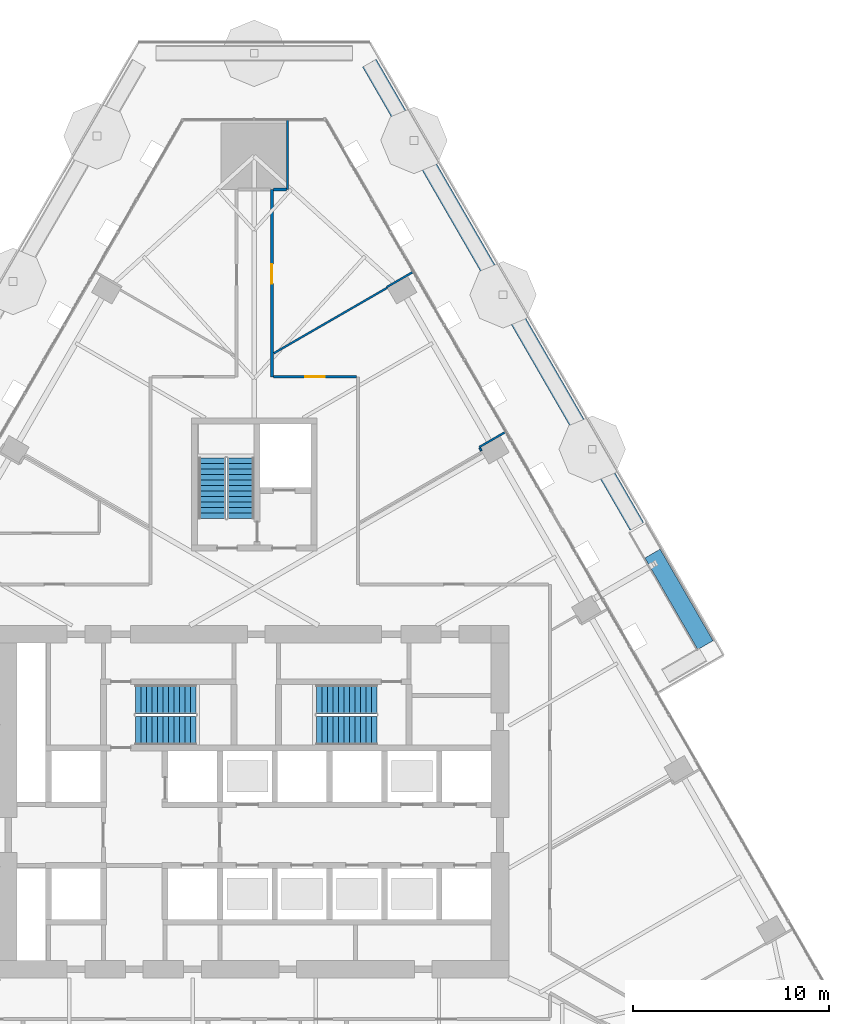
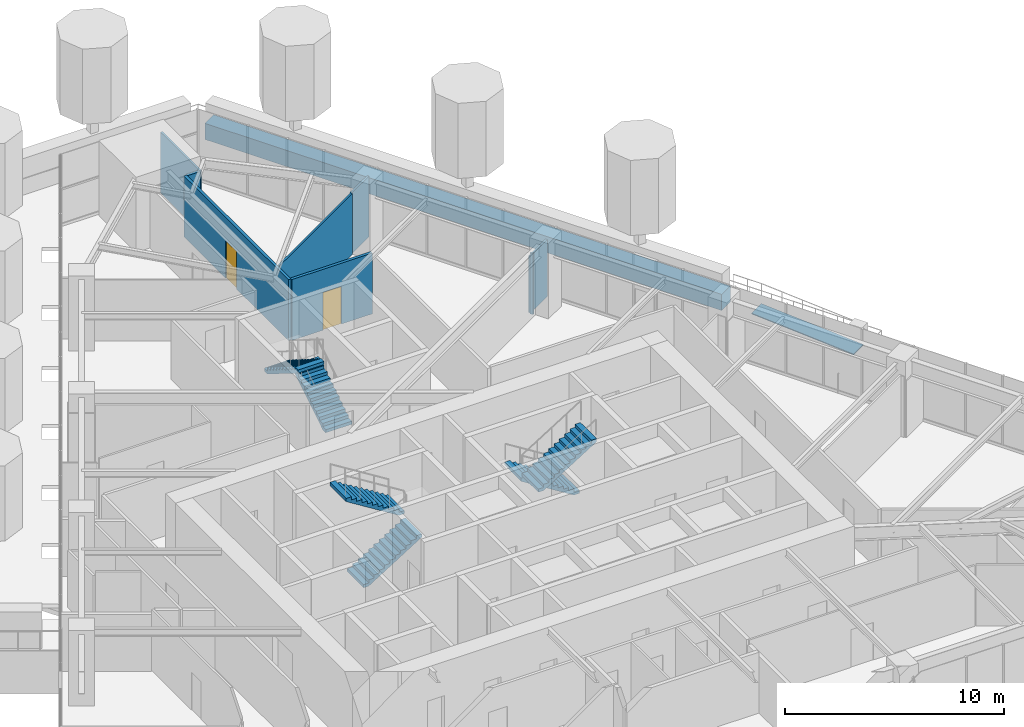
# One storey, part 21 of 25: 9 walls, 6 stair flights, 2 doors, 1 ramp flight, 2 openings, 4 elements without a shape of their own.
"""IFC4 building model written with IfcOpenShell, lengths in metres."""

import ifcopenshell
import ifcopenshell.guid

model = None  # the IFC model being written
_history = None  # IfcOwnerHistory: only IFC2X3 demands one
_inside = {}  # id of a spatial element -> (the spatial element, [elements in it])
_under = {}  # id of a project, library or spatial element -> (it, [spatial elements below it])
_declared = {}  # id of a project -> (the project, [libraries it declares])
_typed = {}  # id of a type object -> (the type object, [elements of that type])
_made_of = {}  # id of a material, layer set ... -> (it, [elements and type objects made of it])


def new_model(schema):
    """Start an empty IFC model of exactly this schema.

    Asked for "IFC4X3", IfcOpenShell would pick the latest addendum, in which some entities
    have other attributes; the version numbers below select the first issue.
    IFC2X3 requires an IfcOwnerHistory on every rooted entity: one is made here for all.
    """
    global model, _history
    if schema == "IFC4X3":
        model = ifcopenshell.file(schema_version=(4, 3, 0, 0))
    else:
        model = ifcopenshell.file(schema=schema)
    _inside.clear()
    _under.clear()
    _declared.clear()
    _typed.clear()
    _made_of.clear()
    _history = None
    if model.schema == "IFC2X3":
        org = make("IfcOrganization", Name="unknown")
        user = make(
            "IfcPersonAndOrganization",
            ThePerson=make("IfcPerson", FamilyName="unknown"),
            TheOrganization=org,
        )
        app = make(
            "IfcApplication",
            ApplicationDeveloper=org,
            Version="unknown",
            ApplicationFullName="unknown",
            ApplicationIdentifier="unknown",
        )
        _history = make(
            "IfcOwnerHistory",
            OwningUser=user,
            OwningApplication=app,
            ChangeAction="ADDED",
            CreationDate=0,
        )
    return model


def make(cls, **values):
    """One entity of the class cls with the attributes given. An attribute that is None is left unset."""
    return model.create_entity(
        cls, **{name: value for name, value in values.items() if value is not None}
    )


def rooted(cls, **values):
    """An entity with a GlobalId (a new one), such as an element, a storey or a relation."""
    return make(cls, GlobalId=ifcopenshell.guid.new(), OwnerHistory=_history, **values)


def si_unit(unit_type, name, prefix=None):
    """IfcSIUnit, for example si_unit("LENGTHUNIT", "METRE", prefix="MILLI")."""
    return make("IfcSIUnit", UnitType=unit_type, Prefix=prefix, Name=name)


def assignment(units):
    """IfcUnitAssignment: the units of a project."""
    return None if units is None else make("IfcUnitAssignment", Units=units)


def point(xyz):
    """IfcCartesianPoint."""
    return None if xyz is None else make("IfcCartesianPoint", Coordinates=xyz)


def direction(xyz):
    """IfcDirection."""
    return None if xyz is None else make("IfcDirection", DirectionRatios=xyz)


def frame(location, z_axis=None, x_axis=None):
    """IfcAxis2Placement3D, a coordinate frame: its origin and axes. An axis left out is left unset."""
    return make(
        "IfcAxis2Placement3D",
        Location=point(location),
        Axis=direction(z_axis),
        RefDirection=direction(x_axis),
    )


def frame_2d(location, x_axis=None):
    """IfcAxis2Placement2D, a coordinate frame in the plane: its origin and x axis."""
    return make(
        "IfcAxis2Placement2D", Location=point(location), RefDirection=direction(x_axis)
    )


def origin():
    """The frame at (0, 0, 0) with its axes left unset."""
    return frame((0.0, 0.0, 0.0))


def place(relative_to, where):
    """IfcLocalPlacement: puts the frame where relative to a parent placement (None: the world)."""
    return make(
        "IfcLocalPlacement", PlacementRelTo=relative_to, RelativePlacement=where
    )


def context(
    kind, dimensions, precision=None, world=None, true_north=None, identifier=None
):
    """IfcGeometricRepresentationContext, for example the 3D "Model" context."""
    return make(
        "IfcGeometricRepresentationContext",
        ContextIdentifier=identifier,
        ContextType=kind,
        CoordinateSpaceDimension=dimensions,
        Precision=precision,
        WorldCoordinateSystem=world,
        TrueNorth=true_north,
    )


def subcontext(parent, identifier, kind, view, scale=None):
    """IfcGeometricRepresentationSubContext, for example "Body" below "Model"."""
    return make(
        "IfcGeometricRepresentationSubContext",
        ContextIdentifier=identifier,
        ContextType=kind,
        ParentContext=parent,
        TargetScale=scale,
        TargetView=view,
    )


def project(units=None, contexts=None):
    """IfcProject with its units and contexts."""
    return rooted(
        "IfcProject",
        Name="project",
        RepresentationContexts=contexts,
        UnitsInContext=assignment(units),
    )


def spatial(cls, under=None, at=None, **own):
    """A site, building, storey or space (cls), placed at a placement, below another one or the project."""
    s = rooted(cls, ObjectPlacement=at, **own)
    if under is not None:
        _under.setdefault(under.id(), (under, []))[1].append(s)
    return s


def polyline(points):
    """IfcPolyline through the points."""
    return make("IfcPolyline", Points=[point(p) for p in points])


def profile(cls, at=None, kind="AREA", **sizes):
    """A parametric profile (cls). Its sizes go by their IFC names, for example OverallWidth=200.0."""
    return make(cls, ProfileType=kind, Position=at, **sizes)


def rectangle(**sizes):
    """IfcRectangleProfileDef."""
    return profile("IfcRectangleProfileDef", **sizes)


def outline(outer, holes=None, kind="AREA"):
    """IfcArbitraryClosedProfileDef: a profile drawn as a closed curve; with holes, ...WithVoids."""
    if holes is None:
        return make("IfcArbitraryClosedProfileDef", ProfileType=kind, OuterCurve=outer)
    return make(
        "IfcArbitraryProfileDefWithVoids",
        ProfileType=kind,
        OuterCurve=outer,
        InnerCurves=holes,
    )


def extrude(swept, where, along, depth):
    """IfcExtrudedAreaSolid: the profile swept, set in the frame where, extruded along a direction by depth."""
    return make(
        "IfcExtrudedAreaSolid",
        SweptArea=swept,
        Position=where,
        ExtrudedDirection=direction(along),
        Depth=depth,
    )


def shape(context_of_items, identifier, shape_type, items):
    """IfcShapeRepresentation: the items that make up one representation, for example the "Body"."""
    return make(
        "IfcShapeRepresentation",
        ContextOfItems=context_of_items,
        RepresentationIdentifier=identifier,
        RepresentationType=shape_type,
        Items=items,
    )


def material(Name=None, Category=None):
    """IfcMaterial."""
    return make("IfcMaterial", Name=Name, Category=Category)


def layer(
    of_material, thickness, ventilated=None, Name=None, Category=None, Priority=None
):
    """IfcMaterialLayer: one layer of a wall or slab, of a material (None: an air gap)."""
    return make(
        "IfcMaterialLayer",
        Material=of_material,
        LayerThickness=thickness,
        IsVentilated=ventilated,
        Name=Name,
        Category=Category,
        Priority=Priority,
    )


def layer_set(layers, Name=None):
    """IfcMaterialLayerSet."""
    return make("IfcMaterialLayerSet", MaterialLayers=layers, LayerSetName=Name)


def made_of(thing, what):
    """Note that an element or type object is made of a material, layer set ...; save() writes the relation."""
    if what is not None:
        _made_of.setdefault(what.id(), (what, []))[1].append(thing)
    return thing


def type_object(cls, material=None, **own):
    """A type object (cls), such as IfcWallType, which elements share."""
    return made_of(rooted(cls, **own), material)


def element(
    cls,
    number,
    at=None,
    inside=None,
    cuts=None,
    type_object=None,
    material=None,
    context=None,
    identifier="Body",
    shape_type=None,
    held_by="IfcProductDefinitionShape",
    body=None,
    shapes=None,
    **own,
):
    """One element of the class cls, such as IfcWall. Its Tag is "e" and its number.

    at: its placement. inside: the storey or other place that contains it. cuts: it is an
    opening in that element (IfcRelVoidsElement). A single representation is given by context,
    identifier, shape_type and body (its items); several are given by shapes. held_by: the class
    of the entity that holds the representations. save() writes the other relations.
    """
    e = rooted(cls, Tag="e%d" % number, ObjectPlacement=at, **own)
    if body is not None:
        shapes = [shape(context, identifier, shape_type, body)]
    if shapes is not None:
        e.Representation = make(held_by, Representations=shapes)
    if inside is not None:
        _inside.setdefault(inside.id(), (inside, []))[1].append(e)
    if cuts is not None:
        rooted(
            "IfcRelVoidsElement", RelatingBuildingElement=cuts, RelatedOpeningElement=e
        )
    if type_object is not None:
        _typed.setdefault(type_object.id(), (type_object, []))[1].append(e)
    return made_of(e, material)


def fill(opening, filler):
    """IfcRelFillsElement: the door or window that sits in an opening."""
    return rooted(
        "IfcRelFillsElement",
        RelatingOpeningElement=opening,
        RelatedBuildingElement=filler,
    )


def aggregate(whole, parts):
    """IfcRelAggregates: a whole, such as a stair, and the parts it consists of."""
    return rooted("IfcRelAggregates", RelatingObject=whole, RelatedObjects=parts)


def save(model, path):
    """Write the relations noted so far, then the file.

    IfcRelAggregates (storeys below a building ...), IfcRelContainedInSpatialStructure (elements
    in a storey), IfcRelDefinesByType, IfcRelAssociatesMaterial and IfcRelDeclares: one each for
    every whole, place, type object, material and project.
    """
    for whole, parts in _under.values():
        aggregate(whole, parts)
    for where, things in _inside.values():
        rooted(
            "IfcRelContainedInSpatialStructure",
            RelatedElements=things,
            RelatingStructure=where,
        )
    for kind, things in _typed.values():
        rooted("IfcRelDefinesByType", RelatedObjects=things, RelatingType=kind)
    for what, things in _made_of.values():
        rooted("IfcRelAssociatesMaterial", RelatedObjects=things, RelatingMaterial=what)
    for by, libraries in _declared.values():
        rooted("IfcRelDeclares", RelatingContext=by, RelatedDefinitions=libraries)
    model.write(path)


model = new_model("IFC4")

# Units and contexts
model_context = context("Model", 3, precision=1e-05, world=origin(), true_north=direction((0.0, 1.0)))
body_context = subcontext(model_context, "Body", "Model", "MODEL_VIEW")
ifc_project = project(units=[si_unit("LENGTHUNIT", "METRE"), si_unit("AREAUNIT", "SQUARE_METRE"), si_unit("VOLUMEUNIT", "CUBIC_METRE"), si_unit("PLANEANGLEUNIT", "RADIAN"), si_unit("MASSUNIT", "GRAM", prefix="KILO")], contexts=[model_context])

# Site, building, storey
site_placement = place(None, origin())
site = spatial("IfcSite", under=ifc_project, at=site_placement, CompositionType="ELEMENT")
building_placement = place(site_placement, origin())
building = spatial("IfcBuilding", under=site, at=building_placement, Name="Firuza Gate Tower and Library", CompositionType="ELEMENT")
storey_placement = place(building_placement, frame((0.0, 0.0, 86.199951171875)))
storey = spatial("IfcBuildingStorey", under=building, at=storey_placement, Name="L19", CompositionType="ELEMENT", Elevation=86.199951171875)

# Wall, opening, door
ifc_material_1 = material(Name="Gypsum board partition")
ifc_layer_1 = layer(ifc_material_1, 0.14990234375)
ifc_layer_set_1 = layer_set([ifc_layer_1], Name="Corridor wall 150 double board on steel studs")
wall_type_1 = type_object("IfcWallType", Name="Corridor wall 150 double board on steel studs", PredefinedType="PARTITIONING", material=ifc_layer_set_1)
wall_1_placement = place(storey_placement, frame((80.224609375, 96.699951171875, 0.0), z_axis=(0.0, 0.0, 1.0), x_axis=(-1.0, 0.0, 0.0)))
wall_1 = element("IfcWall", 1, at=wall_1_placement, inside=storey, type_object=wall_type_1, Name="f:L19:w009", PredefinedType="PARTITIONING", context=body_context, shape_type="SweptSolid", body=[
    extrude(rectangle(XDim=4.24951171875, YDim=0.14990234375, at=frame_2d((2.124755859375, 0.0))), origin(), (0.0, 0.0, 1.0), 3.400146484375),
])
opening_1_placement = place(wall_1_placement, frame((1.624755859375, 0.0, 0.0)))
opening_1 = element("IfcOpeningElement", 2, at=opening_1_placement, cuts=wall_1, Name="Opening L19-14", PredefinedType="OPENING", context=body_context, shape_type="SweptSolid", body=[
    extrude(rectangle(XDim=1.0, YDim=2.10009765625, at=frame_2d((0.5, 1.050048828125))), frame((0.0, 0.0849609375, 0.0), z_axis=(0.0, -1.0, 0.0), x_axis=(1.0, 0.0, 0.0)), (0.0, 0.0, 1.0), 0.169921875),
])
ifc_material_2 = material(Name="Steel door and timber leaf", Category="steel")
door_type = type_object("IfcDoorType", Name="Fire door 1000 x 2100 steel frame, timber leaf", OperationType="NOTDEFINED", PredefinedType="DOOR", material=ifc_material_2)
door_1_placement = place(opening_1_placement, origin())
door_1 = element("IfcDoor", 3, at=door_1_placement, inside=storey, type_object=door_type, Name="f:L19:d014", OperationType="SINGLE_SWING_RIGHT", OverallHeight=2.10009765625, OverallWidth=1.0, PredefinedType="DOOR", context=body_context, shape_type="SweptSolid", body=[
    extrude(rectangle(XDim=1.0, YDim=2.10009765625, at=frame_2d((0.5, 1.050048828125))), frame((0.0, 0.02490234375, 0.0), z_axis=(0.0, -1.0, 0.0), x_axis=(1.0, 0.0, 0.0)), (0.0, 0.0, 1.0), 0.050048828125),
])
fill(opening_1, door_1)

wall_2_placement = place(storey_placement, frame((75.89990234375, 106.26611328125, 0.0), z_axis=(0.0, 0.0, 1.0), x_axis=(0.0, -1.0, 0.0)))
wall_2 = element("IfcWall", 4, at=wall_2_placement, inside=storey, type_object=wall_type_1, Name="f:L19:w039", PredefinedType="PARTITIONING", context=body_context, shape_type="SweptSolid", body=[
    extrude(rectangle(XDim=9.566162109375, YDim=0.14990234375, at=frame_2d((4.783203125, 0.0))), origin(), (0.0, 0.0, 1.0), 3.400146484375),
])
opening_2_placement = place(wall_2_placement, frame((3.813232421875, 0.0, 0.0)))
opening_2 = element("IfcOpeningElement", 5, at=opening_2_placement, cuts=wall_2, Name="Opening L19-23", PredefinedType="OPENING", context=body_context, shape_type="SweptSolid", body=[
    extrude(rectangle(XDim=1.0, YDim=2.10009765625, at=frame_2d((0.5, 1.050048828125))), frame((0.0, 0.0849609375, 0.0), z_axis=(0.0, -1.0, 0.0), x_axis=(1.0, 0.0, 0.0)), (0.0, 0.0, 1.0), 0.169921875),
])
door_2_placement = place(opening_2_placement, origin())
door_2 = element("IfcDoor", 6, at=door_2_placement, inside=storey, type_object=door_type, Name="f:L19:d023", OperationType="SINGLE_SWING_LEFT", OverallHeight=2.10009765625, OverallWidth=1.0, PredefinedType="DOOR", context=body_context, shape_type="SweptSolid", body=[
    extrude(rectangle(XDim=1.0, YDim=2.10009765625, at=frame_2d((0.5, 1.050048828125))), frame((0.0, 0.02490234375, 0.0), z_axis=(0.0, -1.0, 0.0), x_axis=(1.0, 0.0, 0.0)), (0.0, 0.0, 1.0), 0.050048828125),
])
fill(opening_2, door_2)

# Walls
wall_3_placement = place(storey_placement, frame((75.97509765625, 106.26611328125, 0.0), z_axis=(0.0, 0.0, 1.0), x_axis=(1.0, 0.0, 0.0)))
element("IfcWall", 7, at=wall_3_placement, inside=storey, type_object=wall_type_1, Name="f:L19:w077", PredefinedType="PARTITIONING", context=body_context, shape_type="SweptSolid", body=[
    extrude(rectangle(XDim=0.67431640625, YDim=0.14990234375, at=frame_2d((0.337158203125, 0.0))), origin(), (0.0, 0.0, 1.0), 3.400146484375),
])
ifc_material_3 = material(Name="Gypsum board partition")
ifc_layer_2 = layer(ifc_material_3, 0.10009765625)
ifc_layer_set_2 = layer_set([ifc_layer_2], Name="Partition 100 gypsum board on steel studs")
wall_type_2 = type_object("IfcWallType", Name="Partition 100 gypsum board on steel studs", PredefinedType="PARTITIONING", material=ifc_layer_set_2)
wall_4_placement = place(storey_placement, frame((86.487548828125, 93.10546875, 0.0), z_axis=(0.0, 0.0, 1.0), x_axis=(0.866018739521, 0.500011542666, 0.0)))
element("IfcWall", 8, at=wall_4_placement, inside=storey, type_object=wall_type_2, Name="f:L19:w024", PredefinedType="PARTITIONING", context=body_context, shape_type="SweptSolid", body=[
    extrude(rectangle(XDim=1.5595703125, YDim=0.10009765625, at=frame_2d((0.77978515625, 0.0))), origin(), (0.0, 0.0, 1.0), 3.1650390625),
])
wall_5_placement = place(storey_placement, frame((76.001220703125, 97.90087890625, 0.0), z_axis=(0.0, 0.0, 1.0), x_axis=(0.866029244915, 0.499993346908, 0.0)))
element("IfcWall", 9, at=wall_5_placement, inside=storey, type_object=wall_type_2, Name="f:L19:w025", PredefinedType="PARTITIONING", context=body_context, shape_type="SweptSolid", body=[
    extrude(rectangle(XDim=6.68310546875, YDim=0.10009765625, at=frame_2d((3.341552734375, 0.0))), origin(), (0.0, 0.0, 1.0), 3.400146484375),
])
wall_6_placement = place(storey_placement, frame((81.76904296875, 101.277099609375, 0.0), z_axis=(0.0, 0.0, 1.0), x_axis=(0.866029224906, 0.499993381564, 0.0)))
element("IfcWall", 10, at=wall_6_placement, inside=storey, type_object=wall_type_2, Name="f:L19:w026", PredefinedType="PARTITIONING", context=body_context, shape_type="SweptSolid", body=[
    extrude(rectangle(XDim=1.56005859375, YDim=0.10009765625, at=frame_2d((0.780029296875, 0.0))), origin(), (0.0, 0.0, 1.0), 3.400146484375),
])
wall_7_placement = place(storey_placement, frame((76.699951171875, 106.2666015625, 0.0), z_axis=(0.0, 0.0, 1.0), x_axis=(0.0, 1.0, 0.0)))
element("IfcWall", 11, at=wall_7_placement, inside=storey, type_object=wall_type_2, Name="f:L19:w038", PredefinedType="PARTITIONING", context=body_context, shape_type="SweptSolid", body=[
    extrude(rectangle(XDim=3.5595703125, YDim=0.10009765625, at=frame_2d((1.77978515625, 0.0))), origin(), (0.0, 0.0, 1.0), 3.400146484375),
])
wall_8_placement = place(storey_placement, frame((86.597412109375, 92.9150390625, 0.0), z_axis=(0.0, 0.0, 1.0), x_axis=(-0.500013496215, 0.866017611601, 0.0)))
element("IfcWall", 12, at=wall_8_placement, inside=storey, type_object=wall_type_2, Name="f:L19:w056", PredefinedType="PARTITIONING", context=body_context, shape_type="SweptSolid", body=[
    extrude(rectangle(XDim=0.16943359375, YDim=0.10009765625, at=frame_2d((0.084716796875, 0.0))), origin(), (0.0, 0.0, 1.0), 3.400146484375),
])
ifc_material_4 = material(Name="Concrete C40/50", Category="concrete")
ifc_layer_3 = layer(ifc_material_4, 0.800048828125)
ifc_layer_set_3 = layer_set([ifc_layer_3], Name="Planter wall 800")
wall_type_3 = type_object("IfcWallType", Name="Planter wall 800", PredefinedType="SOLIDWALL", material=ifc_layer_set_3)
wall_9_placement = place(storey_placement, frame((94.53857421875, 89.059814453125, 0.0), z_axis=(0.0, 0.0, 1.0), x_axis=(-0.499999217398, 0.866025855619, 0.0)))
element("IfcWall", 13, at=wall_9_placement, inside=storey, type_object=wall_type_3, Name="PLANTER L19 2", PredefinedType="SOLIDWALL", context=body_context, shape_type="SweptSolid", body=[
    extrude(rectangle(XDim=27.31103515625, YDim=0.800048828125, at=frame_2d((13.655517578125, 0.0))), origin(), (0.0, 0.0, 1.0), 0.900146484375),
])

# Stair, stair flights
ifc_material_5 = material(Name="Concrete C35/45", Category="concrete")
stair_type_1 = type_object("IfcStairType", Name="Exit stair ST14", PredefinedType="HALF_TURN_STAIR", material=ifc_material_5)
placement = place(storey_placement, origin())
stair_1 = element("IfcStair", 14, at=placement, inside=storey, type_object=stair_type_1, Name="L19 Stair ST3", PredefinedType="HALF_TURN_STAIR")
ifc_material_6 = material(Name="Concrete C35/45", Category="concrete")
stair_flight_type_1 = type_object("IfcStairFlightType", Name="Stair flight 12 risers 175 width 1370", PredefinedType="STRAIGHT", material=ifc_material_6)
stair_flight_1_placement = place(storey_placement, frame((74.31494140625, 89.469970703125, 0.0), z_axis=(0.0, 0.0, 1.0), x_axis=(0.0, 1.0, 0.0)))
stair_flight_1 = element("IfcStairFlight", 15, at=stair_flight_1_placement, type_object=stair_flight_type_1, Name="ST3 flight 1", NumberOfRisers=12, NumberOfTreads=11, PredefinedType="STRAIGHT", RiserHeight=0.175, TreadLength=0.28, context=body_context, shape_type="SweptSolid", body=[
    extrude(outline(polyline([(0.0, 0.0), (0.0, 0.175048828125), (0.280029296875, 0.175048828125), (0.280029296875, 0.35009765625), (0.56005859375, 0.35009765625), (0.56005859375, 0.52490234375), (0.840087890625, 0.52490234375), (0.840087890625, 0.699951171875), (1.1201171875, 0.699951171875), (1.1201171875, 0.875), (1.39990234375, 0.875), (1.39990234375, 1.050048828125), (1.679931640625, 1.050048828125), (1.679931640625, 1.22509765625), (1.9599609375, 1.22509765625), (1.9599609375, 1.39990234375), (2.239990234375, 1.39990234375), (2.239990234375, 1.574951171875), (2.52001953125, 1.574951171875), (2.52001953125, 1.75), (2.800048828125, 1.75), (2.800048828125, 1.925048828125), (3.080078125, 1.925048828125), (3.080078125, 2.10009765625), (3.080078125, 1.748291015625), (0.28271484375, 0.0), (0.0, 0.0)])), frame((0.0, 0.68505859375, 0.0), z_axis=(0.0, -1.0, 0.0), x_axis=(1.0, 0.0, 0.0)), (0.0, 0.0, 1.0), 1.3701171875),
])
stair_flight_2_placement = place(storey_placement, frame((72.844970703125, 92.550048828125, 2.10009765625), z_axis=(0.0, 0.0, 1.0), x_axis=(0.0, -1.0, 0.0)))
stair_flight_2 = element("IfcStairFlight", 16, at=stair_flight_2_placement, type_object=stair_flight_type_1, Name="ST3 flight 2", NumberOfRisers=12, NumberOfTreads=11, PredefinedType="STRAIGHT", RiserHeight=0.175, TreadLength=0.28, context=body_context, shape_type="SweptSolid", body=[
    extrude(outline(polyline([(0.0, 0.0), (0.0, 0.175048828125), (0.280029296875, 0.175048828125), (0.280029296875, 0.35009765625), (0.56005859375, 0.35009765625), (0.56005859375, 0.52490234375), (0.840087890625, 0.52490234375), (0.840087890625, 0.699951171875), (1.1201171875, 0.699951171875), (1.1201171875, 0.875), (1.39990234375, 0.875), (1.39990234375, 1.050048828125), (1.679931640625, 1.050048828125), (1.679931640625, 1.22509765625), (1.9599609375, 1.22509765625), (1.9599609375, 1.39990234375), (2.239990234375, 1.39990234375), (2.239990234375, 1.574951171875), (2.52001953125, 1.574951171875), (2.52001953125, 1.75), (2.800048828125, 1.75), (2.800048828125, 1.925048828125), (3.080078125, 1.925048828125), (3.080078125, 2.10009765625), (3.080078125, 1.748291015625), (0.28271484375, 0.0), (0.0, 0.0)])), frame((0.0, 0.68505859375, 0.0), z_axis=(0.0, -1.0, 0.0), x_axis=(1.0, 0.0, 0.0)), (0.0, 0.0, 1.0), 1.3701171875),
])
aggregate(stair_1, [stair_flight_1, stair_flight_2])

ifc_material_7 = material(Name="Concrete C35/45", Category="concrete")
stair_type_2 = type_object("IfcStairType", Name="Exit stair ST5", PredefinedType="HALF_TURN_STAIR", material=ifc_material_7)
stair_2 = element("IfcStair", 17, at=placement, inside=storey, type_object=stair_type_2, Name="L19 Stair ST1", PredefinedType="HALF_TURN_STAIR")
ifc_material_8 = material(Name="Concrete C35/45", Category="concrete")
stair_flight_type_2 = type_object("IfcStairFlightType", Name="Stair flight 12 risers 175 width 1490", PredefinedType="STRAIGHT", material=ifc_material_8)
stair_flight_3_placement = place(storey_placement, frame((68.93994140625, 78.64501953125, 0.0), z_axis=(0.0, 0.0, 1.0), x_axis=(1.0, 0.0, 0.0)))
stair_flight_3 = element("IfcStairFlight", 18, at=stair_flight_3_placement, type_object=stair_flight_type_2, Name="ST1 flight 1", NumberOfRisers=12, NumberOfTreads=11, PredefinedType="STRAIGHT", RiserHeight=0.175, TreadLength=0.28, context=body_context, shape_type="SweptSolid", body=[
    extrude(outline(polyline([(0.0, 0.0), (0.0, 0.175048828125), (0.280029296875, 0.175048828125), (0.280029296875, 0.35009765625), (0.56005859375, 0.35009765625), (0.56005859375, 0.52490234375), (0.840087890625, 0.52490234375), (0.840087890625, 0.699951171875), (1.1201171875, 0.699951171875), (1.1201171875, 0.875), (1.39990234375, 0.875), (1.39990234375, 1.050048828125), (1.679931640625, 1.050048828125), (1.679931640625, 1.22509765625), (1.9599609375, 1.22509765625), (1.9599609375, 1.39990234375), (2.239990234375, 1.39990234375), (2.239990234375, 1.574951171875), (2.52001953125, 1.574951171875), (2.52001953125, 1.75), (2.800048828125, 1.75), (2.800048828125, 1.925048828125), (3.080078125, 1.925048828125), (3.080078125, 2.10009765625), (3.080078125, 1.748291015625), (0.28271484375, 0.0), (0.0, 0.0)])), frame((0.0, 0.7451171875, 0.0), z_axis=(0.0, -1.0, 0.0), x_axis=(1.0, 0.0, 0.0)), (0.0, 0.0, 1.0), 1.489990234375),
])
stair_flight_4_placement = place(storey_placement, frame((72.02001953125, 80.235107421875, 2.10009765625), z_axis=(0.0, 0.0, 1.0), x_axis=(-1.0, 0.0, 0.0)))
stair_flight_4 = element("IfcStairFlight", 19, at=stair_flight_4_placement, type_object=stair_flight_type_2, Name="ST1 flight 2", NumberOfRisers=12, NumberOfTreads=11, PredefinedType="STRAIGHT", RiserHeight=0.175, TreadLength=0.28, context=body_context, shape_type="SweptSolid", body=[
    extrude(outline(polyline([(0.0, 0.0), (0.0, 0.175048828125), (0.280029296875, 0.175048828125), (0.280029296875, 0.35009765625), (0.56005859375, 0.35009765625), (0.56005859375, 0.52490234375), (0.840087890625, 0.52490234375), (0.840087890625, 0.699951171875), (1.1201171875, 0.699951171875), (1.1201171875, 0.875), (1.39990234375, 0.875), (1.39990234375, 1.050048828125), (1.679931640625, 1.050048828125), (1.679931640625, 1.22509765625), (1.9599609375, 1.22509765625), (1.9599609375, 1.39990234375), (2.239990234375, 1.39990234375), (2.239990234375, 1.574951171875), (2.52001953125, 1.574951171875), (2.52001953125, 1.75), (2.800048828125, 1.75), (2.800048828125, 1.925048828125), (3.080078125, 1.925048828125), (3.080078125, 2.10009765625), (3.080078125, 1.748291015625), (0.28271484375, 0.0), (0.0, 0.0)])), frame((0.0, 0.7451171875, 0.0), z_axis=(0.0, -1.0, 0.0), x_axis=(1.0, 0.0, 0.0)), (0.0, 0.0, 1.0), 1.489990234375),
])
aggregate(stair_2, [stair_flight_3, stair_flight_4])

stair_3 = element("IfcStair", 20, at=placement, inside=storey, type_object=stair_type_2, Name="L19 Stair ST2", PredefinedType="HALF_TURN_STAIR")
stair_flight_5_placement = place(storey_placement, frame((81.260009765625, 80.235107421875, 0.0), z_axis=(0.0, 0.0, 1.0), x_axis=(-1.0, 0.0, 0.0)))
stair_flight_5 = element("IfcStairFlight", 21, at=stair_flight_5_placement, type_object=stair_flight_type_2, Name="ST2 flight 1", NumberOfRisers=12, NumberOfTreads=11, PredefinedType="STRAIGHT", RiserHeight=0.175, TreadLength=0.28, context=body_context, shape_type="SweptSolid", body=[
    extrude(outline(polyline([(0.0, 0.0), (0.0, 0.175048828125), (0.280029296875, 0.175048828125), (0.280029296875, 0.35009765625), (0.56005859375, 0.35009765625), (0.56005859375, 0.52490234375), (0.840087890625, 0.52490234375), (0.840087890625, 0.699951171875), (1.1201171875, 0.699951171875), (1.1201171875, 0.875), (1.39990234375, 0.875), (1.39990234375, 1.050048828125), (1.679931640625, 1.050048828125), (1.679931640625, 1.22509765625), (1.9599609375, 1.22509765625), (1.9599609375, 1.39990234375), (2.239990234375, 1.39990234375), (2.239990234375, 1.574951171875), (2.52001953125, 1.574951171875), (2.52001953125, 1.75), (2.800048828125, 1.75), (2.800048828125, 1.925048828125), (3.080078125, 1.925048828125), (3.080078125, 2.10009765625), (3.080078125, 1.748291015625), (0.28271484375, 0.0), (0.0, 0.0)])), frame((0.0, 0.7451171875, 0.0), z_axis=(0.0, -1.0, 0.0), x_axis=(1.0, 0.0, 0.0)), (0.0, 0.0, 1.0), 1.489990234375),
])
stair_flight_6_placement = place(storey_placement, frame((78.179931640625, 78.64501953125, 2.10009765625), z_axis=(0.0, 0.0, 1.0), x_axis=(1.0, 0.0, 0.0)))
stair_flight_6 = element("IfcStairFlight", 22, at=stair_flight_6_placement, type_object=stair_flight_type_2, Name="ST2 flight 2", NumberOfRisers=12, NumberOfTreads=11, PredefinedType="STRAIGHT", RiserHeight=0.175, TreadLength=0.28, context=body_context, shape_type="SweptSolid", body=[
    extrude(outline(polyline([(0.0, 0.0), (0.0, 0.175048828125), (0.280029296875, 0.175048828125), (0.280029296875, 0.35009765625), (0.56005859375, 0.35009765625), (0.56005859375, 0.52490234375), (0.840087890625, 0.52490234375), (0.840087890625, 0.699951171875), (1.1201171875, 0.699951171875), (1.1201171875, 0.875), (1.39990234375, 0.875), (1.39990234375, 1.050048828125), (1.679931640625, 1.050048828125), (1.679931640625, 1.22509765625), (1.9599609375, 1.22509765625), (1.9599609375, 1.39990234375), (2.239990234375, 1.39990234375), (2.239990234375, 1.574951171875), (2.52001953125, 1.574951171875), (2.52001953125, 1.75), (2.800048828125, 1.75), (2.800048828125, 1.925048828125), (3.080078125, 1.925048828125), (3.080078125, 2.10009765625), (3.080078125, 1.748291015625), (0.28271484375, 0.0), (0.0, 0.0)])), frame((0.0, 0.7451171875, 0.0), z_axis=(0.0, -1.0, 0.0), x_axis=(1.0, 0.0, 0.0)), (0.0, 0.0, 1.0), 1.489990234375),
])
aggregate(stair_3, [stair_flight_5, stair_flight_6])

# Ramp, ramp flight
ifc_material_9 = material(Name="Concrete C40/50", Category="concrete")
ifc_layer_4 = layer(ifc_material_9, 0.050048828125)
ifc_layer_set_4 = layer_set([ifc_layer_4], Name="Garden ramp")
ramp_type = type_object("IfcRampType", Name="Garden ramp", PredefinedType="STRAIGHT_RUN_RAMP", material=ifc_layer_set_4)
ramp = element("IfcRamp", 23, at=placement, inside=storey, type_object=ramp_type, Name="Garden ramp 2", PredefinedType="STRAIGHT_RUN_RAMP")
ifc_material_10 = material(Name="Concrete C40/50", Category="concrete")
ifc_layer_5 = layer(ifc_material_10, 0.050048828125)
ifc_layer_set_5 = layer_set([ifc_layer_5], Name="Garden ramp flight")
ramp_flight_type = type_object("IfcRampFlightType", Name="Garden ramp flight", PredefinedType="STRAIGHT", material=ifc_layer_set_5)
ramp_flight_placement = place(storey_placement, frame((98.03857421875, 82.99755859375, 0.0), z_axis=(0.0, 0.0, 1.0), x_axis=(-0.499995103361, 0.866028230842, 0.0)))
ramp_flight = element("IfcRampFlight", 24, at=ramp_flight_placement, type_object=ramp_flight_type, Name="Garden ramp 2 flight", PredefinedType="STRAIGHT", context=body_context, shape_type="SweptSolid", body=[
    extrude(outline(polyline([(0.0, 0.050048828125), (5.39990234375, 0.449951171875), (5.39990234375, 0.39990234375), (0.0, 0.0), (0.0, 0.050048828125)])), frame((0.0, 0.449951171875, 0.0), z_axis=(0.0, -1.0, 0.0), x_axis=(1.0, 0.0, 0.0)), (0.0, 0.0, 1.0), 0.89990234375),
])
aggregate(ramp, [ramp_flight])

save(model, "model.ifc")
